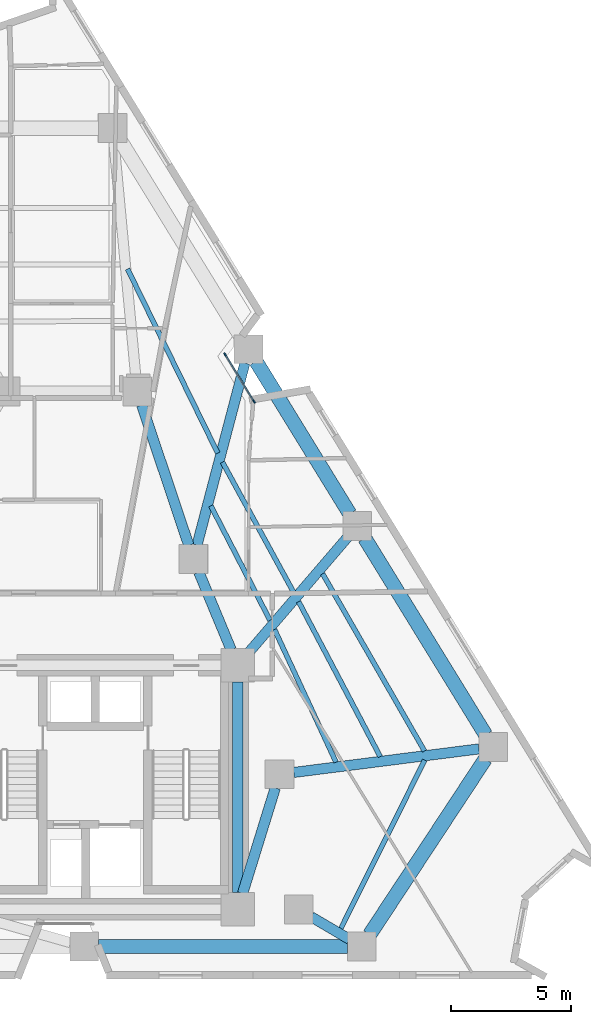
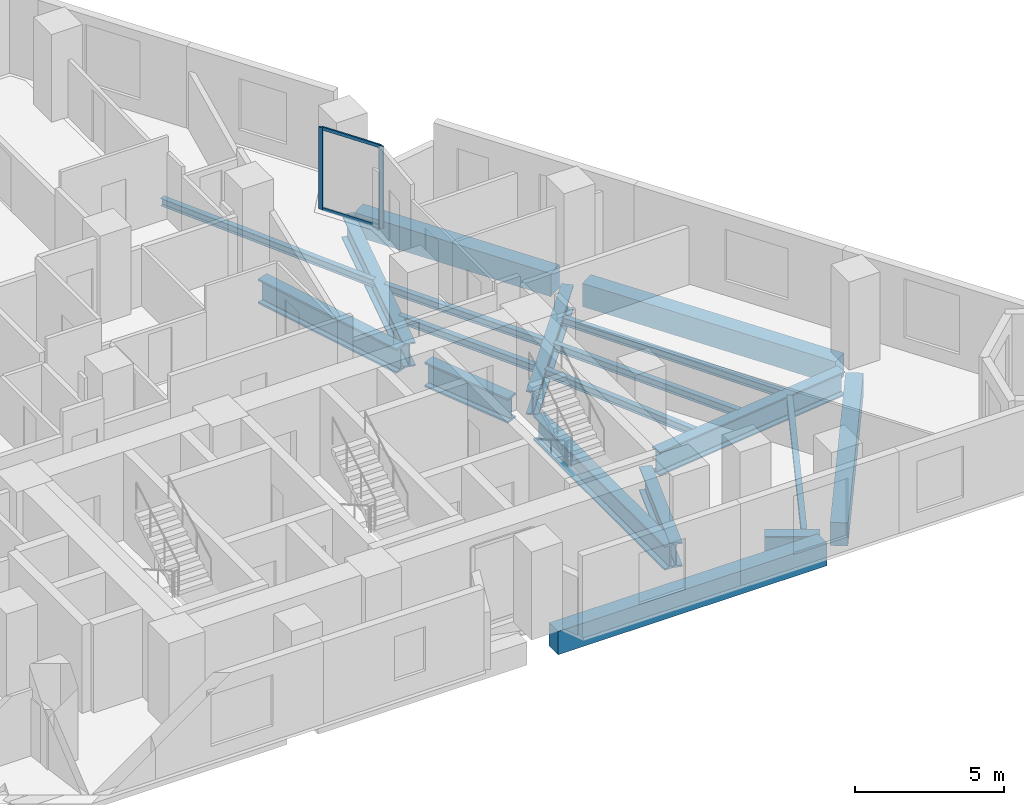
# One storey, part 4 of 13: 19 beams, 4 members, 1 element without a shape of its own.
"""IFC4 building model written with IfcOpenShell, lengths in metres."""

from ifc_helpers import new_model, si_unit, direction, frame, origin, origin_2d, place, context, subcontext, project, spatial, rectangle, i_section, extrude, material, layer, layer_set, material_profile, profile_set, type_object, element, aggregate, save


model = new_model("IFC4")

# Units and contexts
model_context = context("Model", 3, precision=1e-05, world=origin(), true_north=direction((0.0, 1.0)))
body_context = subcontext(model_context, "Body", "Model", "MODEL_VIEW")
ifc_project = project(units=[si_unit("LENGTHUNIT", "METRE"), si_unit("AREAUNIT", "SQUARE_METRE"), si_unit("VOLUMEUNIT", "CUBIC_METRE"), si_unit("PLANEANGLEUNIT", "RADIAN"), si_unit("MASSUNIT", "GRAM", prefix="KILO")], contexts=[model_context])

# Site, building, storey
site_placement = place(None, origin())
site = spatial("IfcSite", under=ifc_project, at=site_placement, CompositionType="ELEMENT")
building_placement = place(site_placement, origin())
building = spatial("IfcBuilding", under=site, at=building_placement, Name="Almagre Mirador Tower", CompositionType="ELEMENT")
storey_placement = place(building_placement, frame((0.0, 0.0, 82.199951171875)))
storey = spatial("IfcBuildingStorey", under=building, at=storey_placement, Name="L20", CompositionType="ELEMENT", Elevation=82.199951171875)

# Beams
ifc_material_1 = material(Name="Steel ASTM A992 Grade 50", Category="steel")
ifc_material_profile_1 = material_profile(ifc_material_1, i_section(OverallWidth=0.205078125, OverallDepth=0.31005859375, WebThickness=0.009521484375, FlangeThickness=0.016357421875, FilletRadius=0.013916015625, at=origin_2d()), Name="W12X50")
ifc_profile_set_1 = profile_set([ifc_material_profile_1], Name="Steel ASTM A992 Grade 50")
beam_type_1 = type_object("IfcBeamType", Name="BM-JST-W12X50", PredefinedType="JOIST", material=ifc_profile_set_1)
beam_1_placement = place(storey_placement, frame((51.36865234375, 3.75927734375, -0.405029296875), z_axis=(0.445858512844, 0.89510345018, 0.0), x_axis=(-0.89510345018, 0.445858512844, 0.0)))
element("IfcBeam", 1, at=beam_1_placement, inside=storey, type_object=beam_type_1, Name="L20 secondary floor joist PC04-PC05.1", PredefinedType="JOIST", context=body_context, shape_type="SweptSolid", body=[
    extrude(i_section(OverallWidth=0.205078125, OverallDepth=0.31005859375, WebThickness=0.009521484375, FlangeThickness=0.016357421875, FilletRadius=0.013916015625, at=origin_2d()), origin(), (0.0, 0.0, 1.0), 7.858154296875),
])
beam_2_placement = place(storey_placement, frame((54.861083984375, 11.170166015625, -0.405029296875), z_axis=(-0.498260180267, 0.867027561707, 0.0), x_axis=(-0.867027561707, -0.498260180267, 0.0)))
element("IfcBeam", 2, at=beam_2_placement, inside=storey, type_object=beam_type_1, Name="L20 secondary floor joist PC05-PC06.1", PredefinedType="JOIST", context=body_context, shape_type="SweptSolid", body=[
    extrude(i_section(OverallWidth=0.205078125, OverallDepth=0.31005859375, WebThickness=0.009521484375, FlangeThickness=0.016357421875, FilletRadius=0.013916015625, at=origin_2d()), origin(), (0.0, 0.0, 1.0), 8.54638671875),
])
beam_3_placement = place(storey_placement, frame((53.010498046875, 10.937744140625, -0.405029296875), z_axis=(-0.466003449067, 0.884782903009, 0.0), x_axis=(-0.884782903009, -0.466003449067, 0.0)))
element("IfcBeam", 3, at=beam_3_placement, inside=storey, type_object=beam_type_1, Name="L20 secondary floor joist PC05-PC06.2", PredefinedType="JOIST", context=body_context, shape_type="SweptSolid", body=[
    extrude(i_section(OverallWidth=0.205078125, OverallDepth=0.31005859375, WebThickness=0.009521484375, FlangeThickness=0.016357421875, FilletRadius=0.013916015625, at=origin_2d()), origin(), (0.0, 0.0, 1.0), 7.320556640625),
])
beam_4_placement = place(storey_placement, frame((51.16259765625, 10.7060546875, -0.405029296875), z_axis=(-0.420643946583, 0.90722580993, 0.0), x_axis=(-0.90722580993, -0.420643946583, 0.0)))
element("IfcBeam", 4, at=beam_4_placement, inside=storey, type_object=beam_type_1, Name="L20 secondary floor joist PC05-PC06.3", PredefinedType="JOIST", context=body_context, shape_type="SweptSolid", body=[
    extrude(i_section(OverallWidth=0.205078125, OverallDepth=0.31005859375, WebThickness=0.009521484375, FlangeThickness=0.016357421875, FilletRadius=0.013916015625, at=origin_2d()), origin(), (0.0, 0.0, 1.0), 6.109375),
])
beam_5_placement = place(storey_placement, frame((49.396728515625, 17.7919921875, -0.405029296875), z_axis=(-0.479727277222, 0.877417653965, 0.0), x_axis=(-0.877417653965, -0.479727277222, 0.0)))
element("IfcBeam", 5, at=beam_5_placement, inside=storey, type_object=beam_type_1, Name="L20 secondary floor joist PC06-PC07.2", PredefinedType="JOIST", context=body_context, shape_type="SweptSolid", body=[
    extrude(i_section(OverallWidth=0.205078125, OverallDepth=0.31005859375, WebThickness=0.009521484375, FlangeThickness=0.016357421875, FilletRadius=0.013916015625, at=origin_2d()), origin(), (0.0, 0.0, 1.0), 6.2138671875),
])
beam_6_placement = place(storey_placement, frame((48.404296875, 16.6328125, -0.405029296875), z_axis=(-0.459287235834, 0.888287810904, 0.0), x_axis=(-0.888287810904, -0.459287235834, 0.0)))
element("IfcBeam", 6, at=beam_6_placement, inside=storey, type_object=beam_type_1, Name="L20 secondary floor joist PC06-PC07.3", PredefinedType="JOIST", context=body_context, shape_type="SweptSolid", body=[
    extrude(i_section(OverallWidth=0.205078125, OverallDepth=0.31005859375, WebThickness=0.009521484375, FlangeThickness=0.016357421875, FilletRadius=0.013916015625, at=origin_2d()), origin(), (0.0, 0.0, 1.0), 5.384765625),
])
beam_7_placement = place(storey_placement, frame((46.21875, 23.6240234375, -0.405029296875), z_axis=(-0.439958933101, 0.898017893577, 0.0), x_axis=(-0.898017893577, -0.439958933101, 0.0)))
element("IfcBeam", 7, at=beam_7_placement, inside=storey, type_object=beam_type_1, Name="L20 secondary floor joist PC07-PC08.2", PredefinedType="JOIST", context=body_context, shape_type="SweptSolid", body=[
    extrude(i_section(OverallWidth=0.205078125, OverallDepth=0.31005859375, WebThickness=0.009521484375, FlangeThickness=0.016357421875, FilletRadius=0.013916015625, at=origin_2d()), origin(), (0.0, 0.0, 1.0), 8.565185546875),
])
ifc_material_2 = material(Name="Precast concrete C50/60", Category="concrete")
ifc_material_profile_2 = material_profile(ifc_material_2, rectangle(XDim=0.60009765625, YDim=0.949951171875, at=origin_2d()), Name="RC600X950")
ifc_profile_set_2 = profile_set([ifc_material_profile_2], Name="Precast concrete C50/60")
beam_type_2 = type_object("IfcBeamType", Name="BM-SPN-RC600X950", PredefinedType="SPANDREL", material=ifc_profile_set_2)
beam_8_placement = place(storey_placement, frame((41.239990234375, 3.0, -0.724853515625), z_axis=(1.0, 0.0, 0.0), x_axis=(0.0, 1.0, 0.0)))
element("IfcBeam", 8, at=beam_8_placement, inside=storey, type_object=beam_type_2, Name="L20 perimeter spandrel beam PC03-PC04", PredefinedType="SPANDREL", context=body_context, shape_type="SweptSolid", body=[
    extrude(rectangle(XDim=0.60009765625, YDim=0.949951171875, at=origin_2d()), origin(), (0.0, 0.0, 1.0), 10.39990234375),
])
beam_9_placement = place(storey_placement, frame((52.570068359375, 3.501220703125, -0.724853515625), z_axis=(0.550014218611, 0.835155290545, 0.0), x_axis=(-0.835155290545, 0.550014218611, 0.0)))
element("IfcBeam", 9, at=beam_9_placement, inside=storey, type_object=beam_type_2, Name="L20 perimeter spandrel beam PC04-PC05", PredefinedType="SPANDREL", context=body_context, shape_type="SweptSolid", body=[
    extrude(rectangle(XDim=0.60009765625, YDim=0.949951171875, at=origin_2d()), origin(), (0.0, 0.0, 1.0), 8.78125),
])
beam_10_placement = place(storey_placement, frame((57.415771484375, 11.84716796875, -0.724853515625), z_axis=(-0.523677963784, 0.85191630472, 0.0), x_axis=(-0.85191630472, -0.523677963784, 0.0)))
element("IfcBeam", 10, at=beam_10_placement, inside=storey, type_object=beam_type_2, Name="L20 perimeter spandrel beam PC05-PC06", PredefinedType="SPANDREL", context=body_context, shape_type="SweptSolid", body=[
    extrude(rectangle(XDim=0.60009765625, YDim=0.949951171875, at=origin_2d()), origin(), (0.0, 0.0, 1.0), 9.646240234375),
])
beam_11_placement = place(storey_placement, frame((51.73583984375, 21.087158203125, -0.724853515625), z_axis=(-0.523685630809, 0.851911591707, 0.0), x_axis=(-0.851911591707, -0.523685630809, 0.0)))
element("IfcBeam", 11, at=beam_11_placement, inside=storey, type_object=beam_type_2, Name="L20 perimeter spandrel beam PC06-PC07", PredefinedType="SPANDREL", context=body_context, shape_type="SweptSolid", body=[
    extrude(rectangle(XDim=0.60009765625, YDim=0.949951171875, at=origin_2d()), origin(), (0.0, 0.0, 1.0), 7.476806640625),
])
ifc_material_3 = material(Name="Steel ASTM A992 Grade 50", Category="steel")
ifc_material_profile_3 = material_profile(ifc_material_3, i_section(OverallWidth=0.427978515625, OverallDepth=0.97509765625, WebThickness=0.031005859375, FlangeThickness=0.055908203125, FilletRadius=0.028076171875, at=origin_2d()), Name="W36X395")
ifc_profile_set_3 = profile_set([ifc_material_profile_3], Name="Steel ASTM A992 Grade 50")
beam_type_3 = type_object("IfcBeamType", Name="BM-STL-W36X395", PredefinedType="BEAM", material=ifc_profile_set_3)
beam_12_placement = place(storey_placement, frame((51.72265625, 3.3037109375, -0.737548828125), z_axis=(-0.862372214541, 0.50627479059, 0.0), x_axis=(-0.50627479059, -0.862372214541, 0.0)))
element("IfcBeam", 12, at=beam_12_placement, inside=storey, type_object=beam_type_3, Name="L20 radial floor girder PC04-MC2", PredefinedType="BEAM", context=body_context, shape_type="SweptSolid", body=[
    extrude(i_section(OverallWidth=0.427978515625, OverallDepth=0.97509765625, WebThickness=0.031005859375, FlangeThickness=0.055908203125, FilletRadius=0.028076171875, at=origin_2d()), origin(), (0.0, 0.0, 1.0), 1.861328125),
])
beam_13_placement = place(storey_placement, frame((57.134765625, 11.26025390625, -0.737548828125), z_axis=(-0.992004466141, -0.126202770006, 0.0), x_axis=(0.126202770006, -0.992004466141, 0.0)))
element("IfcBeam", 13, at=beam_13_placement, inside=storey, type_object=beam_type_3, Name="L20 radial floor girder PC05-MC3", PredefinedType="BEAM", context=body_context, shape_type="SweptSolid", body=[
    extrude(i_section(OverallWidth=0.427978515625, OverallDepth=0.97509765625, WebThickness=0.031005859375, FlangeThickness=0.055908203125, FilletRadius=0.028076171875, at=origin_2d()), origin(), (0.0, 0.0, 1.0), 7.802001953125),
])
beam_14_placement = place(storey_placement, frame((51.6591796875, 20.12060546875, -0.737548828125), z_axis=(-0.651270456957, -0.758845697026, 0.0), x_axis=(0.758845697026, -0.651270456957, 0.0)))
element("IfcBeam", 14, at=beam_14_placement, inside=storey, type_object=beam_type_3, Name="L20 radial floor girder PC06-CC6", PredefinedType="BEAM", context=body_context, shape_type="SweptSolid", body=[
    extrude(i_section(OverallWidth=0.427978515625, OverallDepth=0.97509765625, WebThickness=0.031005859375, FlangeThickness=0.055908203125, FilletRadius=0.028076171875, at=origin_2d()), origin(), (0.0, 0.0, 1.0), 6.377197265625),
])
beam_15_placement = place(storey_placement, frame((47.353515625, 27.3876953125, -0.737548828125), z_axis=(-0.25437719106, -0.967105084605, 0.0), x_axis=(0.967105084605, -0.25437719106, 0.0)))
element("IfcBeam", 15, at=beam_15_placement, inside=storey, type_object=beam_type_3, Name="L20 radial floor girder PC07-MC5", PredefinedType="BEAM", context=body_context, shape_type="SweptSolid", body=[
    extrude(i_section(OverallWidth=0.427978515625, OverallDepth=0.97509765625, WebThickness=0.031005859375, FlangeThickness=0.055908203125, FilletRadius=0.028076171875, at=origin_2d()), origin(), (0.0, 0.0, 1.0), 7.8662109375),
])
ifc_material_4 = material(Name="Steel ASTM A992 Grade 50", Category="steel")
ifc_material_profile_4 = material_profile(ifc_material_4, i_section(OverallWidth=0.43701171875, OverallDepth=1.010986328125, WebThickness=0.041015625, FlangeThickness=0.073974609375, FilletRadius=0.028076171875, at=origin_2d()), Name="W36X529")
ifc_profile_set_4 = profile_set([ifc_material_profile_4], Name="Steel ASTM A992 Grade 50")
beam_type_4 = type_object("IfcBeamType", Name="BM-STL-W36X529", PredefinedType="BEAM", material=ifc_profile_set_4)
beam_16_placement = place(storey_placement, frame((47.050048828125, 5.25, -0.75537109375), z_axis=(0.0, 1.0, 0.0), x_axis=(-1.0, 0.0, 0.0)))
element("IfcBeam", 16, at=beam_16_placement, inside=storey, type_object=beam_type_4, Name="L20 core tie girder CC3-CC6", PredefinedType="BEAM", context=body_context, shape_type="SweptSolid", body=[
    extrude(i_section(OverallWidth=0.43701171875, OverallDepth=1.010986328125, WebThickness=0.041015625, FlangeThickness=0.073974609375, FilletRadius=0.028076171875, at=origin_2d()), origin(), (0.0, 0.0, 1.0), 8.800048828125),
])
beam_17_placement = place(storey_placement, frame((48.62255859375, 9.626953125, -0.75537109375), z_axis=(-0.295888328273, -0.955222538046, 0.0), x_axis=(0.955222538046, -0.295888328273, 0.0)))
element("IfcBeam", 17, at=beam_17_placement, inside=storey, type_object=beam_type_4, Name="L20 core tie girder MC3-CC3", PredefinedType="BEAM", context=body_context, shape_type="SweptSolid", body=[
    extrude(i_section(OverallWidth=0.43701171875, OverallDepth=1.010986328125, WebThickness=0.041015625, FlangeThickness=0.073974609375, FilletRadius=0.028076171875, at=origin_2d()), origin(), (0.0, 0.0, 1.0), 4.61474609375),
])
beam_18_placement = place(storey_placement, frame((45.430419921875, 18.64599609375, -0.75537109375), z_axis=(0.383856635851, -0.923392702545, 0.0), x_axis=(0.923392702545, 0.383856635851, 0.0)))
element("IfcBeam", 18, at=beam_18_placement, inside=storey, type_object=beam_type_4, Name="L20 core tie girder MC5-CC6", PredefinedType="BEAM", context=body_context, shape_type="SweptSolid", body=[
    extrude(i_section(OverallWidth=0.43701171875, OverallDepth=1.010986328125, WebThickness=0.041015625, FlangeThickness=0.073974609375, FilletRadius=0.028076171875, at=origin_2d()), origin(), (0.0, 0.0, 1.0), 3.51904296875),
])
beam_19_placement = place(storey_placement, frame((43.041015625, 25.631103515625, -0.75537109375), z_axis=(0.318252395552, -0.948006019351, 0.0), x_axis=(0.948006019351, 0.318252395552, 0.0)))
element("IfcBeam", 19, at=beam_19_placement, inside=storey, type_object=beam_type_4, Name="L20 core tie girder MC6-MC5", PredefinedType="BEAM", context=body_context, shape_type="SweptSolid", body=[
    extrude(i_section(OverallWidth=0.43701171875, OverallDepth=1.010986328125, WebThickness=0.041015625, FlangeThickness=0.073974609375, FilletRadius=0.028076171875, at=origin_2d()), origin(), (0.0, 0.0, 1.0), 6.183837890625),
])

# Curtain wall, members
ifc_material_5 = material(Name="Black anodized aluminium", Category="aluminium")
ifc_layer = layer(ifc_material_5, 0.169921875)
ifc_layer_set = layer_set([ifc_layer], Name="Black anodized aluminium")
curtain_wall_type = type_object("IfcCurtainWallType", Name="CW-CRS-SYS", PredefinedType="NOTDEFINED", material=ifc_layer_set)
curtain_wall_placement = place(storey_placement, origin())
curtain_wall = element("IfcCurtainWall", 20, at=curtain_wall_placement, inside=storey, type_object=curtain_wall_type, Name="L20 vertical crease curtain wall 03", PredefinedType="NOTDEFINED")
ifc_material_6 = material(Name="Black anodized aluminium", Category="aluminium")
ifc_material_profile_5 = material_profile(ifc_material_6, rectangle(XDim=0.06005859375, YDim=0.14990234375, at=origin_2d()), Name="CWM60X150")
ifc_profile_set_5 = profile_set([ifc_material_profile_5], Name="Black anodized aluminium")
member_type_1 = type_object("IfcMemberType", Name="MBR-CWM60X150", PredefinedType="MULLION", material=ifc_profile_set_5)
member_1_placement = place(storey_placement, frame((46.52734375, 27.745849609375, 0.0), z_axis=(0.0, 0.0, 1.0), x_axis=(0.852078136772, 0.523414605102, 0.0)))
member_1 = element("IfcMember", 21, at=member_1_placement, type_object=member_type_1, Name="CW-4 mullion 1", PredefinedType="MULLION", context=body_context, shape_type="SweptSolid", body=[
    extrude(rectangle(XDim=0.06005859375, YDim=0.14990234375, at=origin_2d()), origin(), (0.0, 0.0, 1.0), 3.35009765625),
])
member_2_placement = place(storey_placement, frame((47.736572265625, 25.77734375, 0.0), z_axis=(0.0, 0.0, 1.0), x_axis=(0.852078136772, 0.523414605102, 0.0)))
member_2 = element("IfcMember", 22, at=member_2_placement, type_object=member_type_1, Name="CW-4 mullion 2", PredefinedType="MULLION", context=body_context, shape_type="SweptSolid", body=[
    extrude(rectangle(XDim=0.06005859375, YDim=0.14990234375, at=origin_2d()), origin(), (0.0, 0.0, 1.0), 3.35009765625),
])
ifc_material_7 = material(Name="Black anodized aluminium", Category="aluminium")
ifc_material_profile_6 = material_profile(ifc_material_7, rectangle(XDim=0.06005859375, YDim=0.1298828125, at=origin_2d()), Name="CWT60X130")
ifc_profile_set_6 = profile_set([ifc_material_profile_6], Name="Black anodized aluminium")
member_type_2 = type_object("IfcMemberType", Name="MBR-CWT60X130", PredefinedType="USERDEFINED", material=ifc_profile_set_6)
member_3_placement = place(storey_placement, frame((46.543212890625, 27.72021484375, 0.030029296875), z_axis=(0.523370843284, -0.852105017237, 0.0), x_axis=(0.852105017237, 0.523370843284, 0.0)))
member_3 = element("IfcMember", 23, at=member_3_placement, type_object=member_type_2, Name="CW-4 transom 1.1", ObjectType="TRANSOM", PredefinedType="USERDEFINED", context=body_context, shape_type="SweptSolid", body=[
    extrude(rectangle(XDim=0.06005859375, YDim=0.1298828125, at=origin_2d()), origin(), (0.0, 0.0, 1.0), 2.250244140625),
])
member_4_placement = place(storey_placement, frame((46.543212890625, 27.72021484375, 3.320068359375), z_axis=(0.523370843284, -0.852105017237, 0.0), x_axis=(0.852105017237, 0.523370843284, 0.0)))
member_4 = element("IfcMember", 24, at=member_4_placement, type_object=member_type_2, Name="CW-4 transom 1.2", ObjectType="TRANSOM", PredefinedType="USERDEFINED", context=body_context, shape_type="SweptSolid", body=[
    extrude(rectangle(XDim=0.06005859375, YDim=0.1298828125, at=origin_2d()), origin(), (0.0, 0.0, 1.0), 2.250244140625),
])
aggregate(curtain_wall, [member_1, member_2, member_3, member_4])

save(model, "model.ifc")
